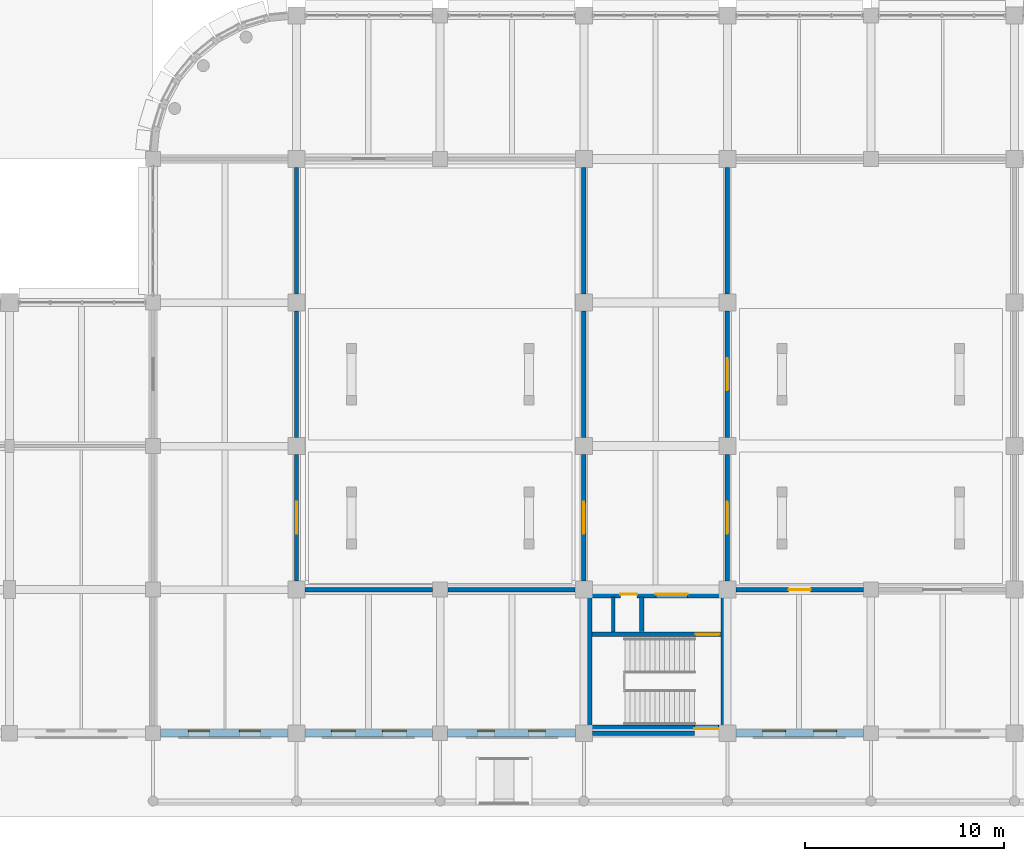
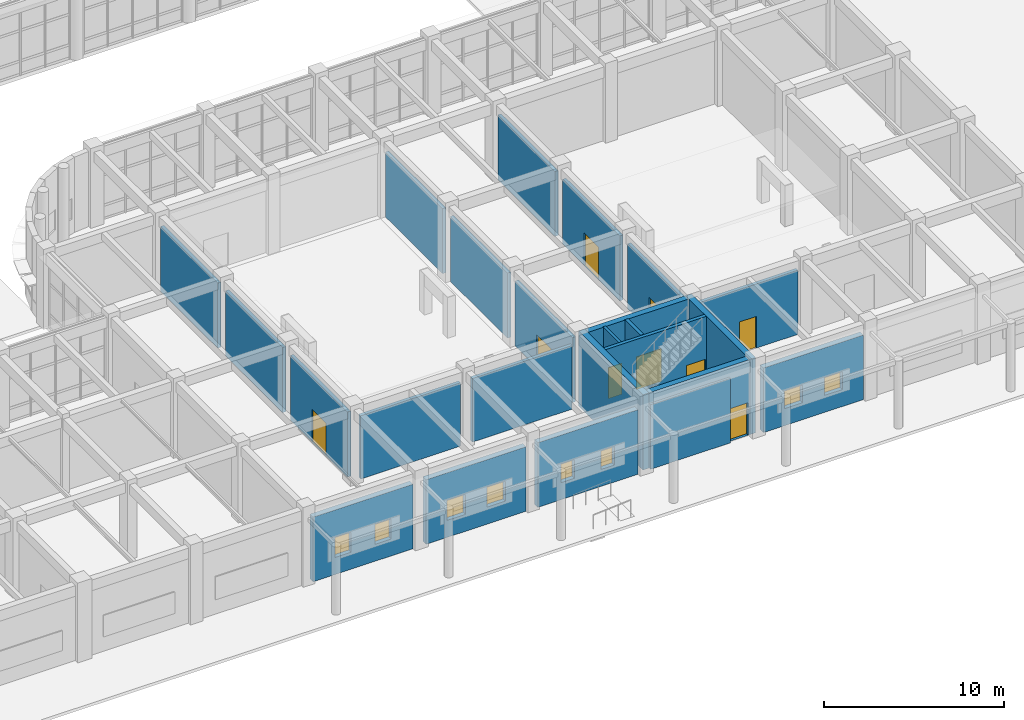
# One storey, part 137 of 160: 24 walls, 9 doors, 8 windows, 17 openings.
"""IFC4 building model written with IfcOpenShell, lengths in metres."""

from ifc_helpers import new_model, si_unit, direction, frame, frame_2d, origin, place, context, subcontext, project, spatial, rectangle, extrude, material, layer, layer_set, type_object, element, fill, save


model = new_model("IFC4")

# Units and contexts
model_context = context("Model", 3, precision=1e-05, world=origin(), true_north=direction((0.0, 1.0)))
body_context = subcontext(model_context, "Body", "Model", "MODEL_VIEW")
ifc_project = project(units=[si_unit("LENGTHUNIT", "METRE"), si_unit("AREAUNIT", "SQUARE_METRE"), si_unit("VOLUMEUNIT", "CUBIC_METRE"), si_unit("PLANEANGLEUNIT", "RADIAN"), si_unit("MASSUNIT", "GRAM", prefix="KILO")], contexts=[model_context])

# Site, building, storey
site_placement = place(None, origin())
site = spatial("IfcSite", under=ifc_project, at=site_placement, CompositionType="ELEMENT")
building_placement = place(site_placement, origin())
building = spatial("IfcBuilding", under=site, at=building_placement, Name="Thalmaran Polytechnic", CompositionType="ELEMENT")
storey_placement = place(building_placement, origin())
storey = spatial("IfcBuildingStorey", under=building, at=storey_placement, Name="L00", CompositionType="ELEMENT", Elevation=0.0)

# Wall, openings, windows
ifc_material_1 = material(Name="Precast concrete C40/50", Category="concrete")
ifc_layer_1 = layer(ifc_material_1, 0.360107421875, Name="Precast concrete C40/50")
ifc_layer_set_1 = layer_set([ifc_layer_1], Name="Precast concrete C40/50")
wall_type_1 = type_object("IfcWallType", Name="WL-EW01", PredefinedType="STANDARD", material=ifc_layer_set_1)
wall_1_placement = place(storey_placement, frame((93.22509765625, 0.0, 0.0), z_axis=(0.0, 0.0, 1.0), x_axis=(-1.0, 0.0, 0.0)))
wall_1 = element("IfcWall", 1, at=wall_1_placement, inside=storey, type_object=wall_type_1, Name="Exterior Precast Facade Wall L00-080", PredefinedType="STANDARD", context=body_context, shape_type="SweptSolid", body=[
    extrude(rectangle(XDim=6.400146484375, YDim=0.360107421875, at=frame_2d((3.2001953125, 0.0))), origin(), (0.0, 0.0, 1.0), 4.3701171875),
])
opening_1_placement = place(wall_1_placement, frame((1.344970703125, 0.0, 1.14990234375)))
opening_1 = element("IfcOpeningElement", 2, at=opening_1_placement, cuts=wall_1, Name="Opening VW12", PredefinedType="OPENING", context=body_context, shape_type="SweptSolid", body=[
    extrude(rectangle(XDim=1.14990234375, YDim=1.199951171875, at=frame_2d((0.574951171875, 0.60009765625))), frame((0.0, 0.18994140625, 0.0), z_axis=(0.0, -1.0, 0.0), x_axis=(1.0, 0.0, 0.0)), (0.0, 0.0, 1.0), 0.380126953125),
])
opening_2_placement = place(wall_1_placement, frame((3.905029296875, 0.0, 1.14990234375)))
opening_2 = element("IfcOpeningElement", 3, at=opening_2_placement, cuts=wall_1, Name="Opening VW12", PredefinedType="OPENING", context=body_context, shape_type="SweptSolid", body=[
    extrude(rectangle(XDim=1.14990234375, YDim=1.199951171875, at=frame_2d((0.574951171875, 0.60009765625))), frame((0.0, 0.18994140625, 0.0), z_axis=(0.0, -1.0, 0.0), x_axis=(1.0, 0.0, 0.0)), (0.0, 0.0, 1.0), 0.380126953125),
])
ifc_material_2 = material(Name="Thermally broken aluminium and double low-E glass", Category="aluminium")
window_type_1 = type_object("IfcWindowType", Name="WN-VZ12", PartitioningType="SINGLE_PANEL", PredefinedType="WINDOW", material=ifc_material_2)
window_1_placement = place(opening_1_placement, origin())
window_1 = element("IfcWindow", 4, at=window_1_placement, inside=storey, type_object=window_type_1, Name="Deep-Set Solar-Screened Window W-0040", OverallHeight=1.199951171875, OverallWidth=1.14990234375, PartitioningType="SINGLE_PANEL", PredefinedType="WINDOW", context=body_context, shape_type="SweptSolid", body=[
    extrude(rectangle(XDim=1.14990234375, YDim=1.199951171875, at=frame_2d((0.574951171875, 0.60009765625))), frame((0.0, -0.080078125, 0.0), z_axis=(0.0, -1.0, 0.0), x_axis=(1.0, 0.0, 0.0)), (0.0, 0.0, 1.0), 0.06005859375),
])
fill(opening_1, window_1)
window_2_placement = place(opening_2_placement, origin())
window_2 = element("IfcWindow", 5, at=window_2_placement, inside=storey, type_object=window_type_1, Name="Deep-Set Solar-Screened Window W-0041", OverallHeight=1.199951171875, OverallWidth=1.14990234375, PartitioningType="SINGLE_PANEL", PredefinedType="WINDOW", context=body_context, shape_type="SweptSolid", body=[
    extrude(rectangle(XDim=1.14990234375, YDim=1.199951171875, at=frame_2d((0.574951171875, 0.60009765625))), frame((0.0, -0.080078125, 0.0), z_axis=(0.0, -1.0, 0.0), x_axis=(1.0, 0.0, 0.0)), (0.0, 0.0, 1.0), 0.06005859375),
])
fill(opening_2, window_2)

wall_2_placement = place(storey_placement, frame((78.77490234375, 0.0, 0.0), z_axis=(0.0, 0.0, 1.0), x_axis=(-1.0, 0.0, 0.0)))
wall_2 = element("IfcWall", 6, at=wall_2_placement, inside=storey, type_object=wall_type_1, Name="Exterior Precast Facade Wall L00-082", PredefinedType="STANDARD", context=body_context, shape_type="SweptSolid", body=[
    extrude(rectangle(XDim=6.39990234375, YDim=0.360107421875, at=frame_2d((3.199951171875, 0.0))), origin(), (0.0, 0.0, 1.0), 4.3701171875),
])
opening_3_placement = place(wall_2_placement, frame((1.4951171875, 0.0, 1.14990234375)))
opening_3 = element("IfcOpeningElement", 7, at=opening_3_placement, cuts=wall_2, Name="Opening VW14", PredefinedType="OPENING", context=body_context, shape_type="SweptSolid", body=[
    extrude(rectangle(XDim=0.85009765625, YDim=1.25, at=frame_2d((0.425048828125, 0.625))), frame((0.0, 0.18994140625, 0.0), z_axis=(0.0, -1.0, 0.0), x_axis=(1.0, 0.0, 0.0)), (0.0, 0.0, 1.0), 0.380126953125),
])
opening_4_placement = place(wall_2_placement, frame((4.054931640625, 0.0, 1.14990234375)))
opening_4 = element("IfcOpeningElement", 8, at=opening_4_placement, cuts=wall_2, Name="Opening VW14", PredefinedType="OPENING", context=body_context, shape_type="SweptSolid", body=[
    extrude(rectangle(XDim=0.85009765625, YDim=1.25, at=frame_2d((0.425048828125, 0.625))), frame((0.0, 0.18994140625, 0.0), z_axis=(0.0, -1.0, 0.0), x_axis=(1.0, 0.0, 0.0)), (0.0, 0.0, 1.0), 0.380126953125),
])
window_type_2 = type_object("IfcWindowType", Name="WN-VZ14", PartitioningType="SINGLE_PANEL", PredefinedType="WINDOW", material=ifc_material_2)
window_3_placement = place(opening_3_placement, origin())
window_3 = element("IfcWindow", 9, at=window_3_placement, inside=storey, type_object=window_type_2, Name="Deep-Set Solar-Screened Window W-0042", OverallHeight=1.25, OverallWidth=0.85009765625, PartitioningType="SINGLE_PANEL", PredefinedType="WINDOW", context=body_context, shape_type="SweptSolid", body=[
    extrude(rectangle(XDim=0.85009765625, YDim=1.25, at=frame_2d((0.425048828125, 0.625))), frame((0.0, -0.080078125, 0.0), z_axis=(0.0, -1.0, 0.0), x_axis=(1.0, 0.0, 0.0)), (0.0, 0.0, 1.0), 0.06005859375),
])
fill(opening_3, window_3)
window_4_placement = place(opening_4_placement, origin())
window_4 = element("IfcWindow", 10, at=window_4_placement, inside=storey, type_object=window_type_2, Name="Deep-Set Solar-Screened Window W-0043", OverallHeight=1.25, OverallWidth=0.85009765625, PartitioningType="SINGLE_PANEL", PredefinedType="WINDOW", context=body_context, shape_type="SweptSolid", body=[
    extrude(rectangle(XDim=0.85009765625, YDim=1.25, at=frame_2d((0.425048828125, 0.625))), frame((0.0, -0.080078125, 0.0), z_axis=(0.0, -1.0, 0.0), x_axis=(1.0, 0.0, 0.0)), (0.0, 0.0, 1.0), 0.06005859375),
])
fill(opening_4, window_4)

wall_3_placement = place(storey_placement, frame((71.625, 0.0, 0.0), z_axis=(0.0, 0.0, 1.0), x_axis=(-1.0, 0.0, 0.0)))
wall_3 = element("IfcWall", 11, at=wall_3_placement, inside=storey, type_object=wall_type_1, Name="Exterior Precast Facade Wall L00-083", PredefinedType="STANDARD", context=body_context, shape_type="SweptSolid", body=[
    extrude(rectangle(XDim=6.39990234375, YDim=0.360107421875, at=frame_2d((3.199951171875, 0.0))), origin(), (0.0, 0.0, 1.0), 4.3701171875),
])
opening_5_placement = place(wall_3_placement, frame((1.320068359375, 0.0, 1.14990234375)))
opening_5 = element("IfcOpeningElement", 12, at=opening_5_placement, cuts=wall_3, Name="Opening PW11", PredefinedType="OPENING", context=body_context, shape_type="SweptSolid", body=[
    extrude(rectangle(XDim=1.199951171875, YDim=1.35009765625, at=frame_2d((0.60009765625, 0.675048828125))), frame((0.0, 0.18994140625, 0.0), z_axis=(0.0, -1.0, 0.0), x_axis=(1.0, 0.0, 0.0)), (0.0, 0.0, 1.0), 0.380126953125),
])
opening_6_placement = place(wall_3_placement, frame((3.8798828125, 0.0, 1.14990234375)))
opening_6 = element("IfcOpeningElement", 13, at=opening_6_placement, cuts=wall_3, Name="Opening PW11", PredefinedType="OPENING", context=body_context, shape_type="SweptSolid", body=[
    extrude(rectangle(XDim=1.199951171875, YDim=1.35009765625, at=frame_2d((0.60009765625, 0.675048828125))), frame((0.0, 0.18994140625, 0.0), z_axis=(0.0, -1.0, 0.0), x_axis=(1.0, 0.0, 0.0)), (0.0, 0.0, 1.0), 0.380126953125),
])
window_type_3 = type_object("IfcWindowType", Name="WN-PW01", PartitioningType="SINGLE_PANEL", PredefinedType="WINDOW", material=ifc_material_2)
window_5_placement = place(opening_5_placement, origin())
window_5 = element("IfcWindow", 14, at=window_5_placement, inside=storey, type_object=window_type_3, Name="Deep-Set Solar-Screened Window W-0044", OverallHeight=1.35009765625, OverallWidth=1.199951171875, PartitioningType="SINGLE_PANEL", PredefinedType="WINDOW", context=body_context, shape_type="SweptSolid", body=[
    extrude(rectangle(XDim=1.199951171875, YDim=1.35009765625, at=frame_2d((0.60009765625, 0.675048828125))), frame((0.0, -0.080078125, 0.0), z_axis=(0.0, -1.0, 0.0), x_axis=(1.0, 0.0, 0.0)), (0.0, 0.0, 1.0), 0.06005859375),
])
fill(opening_5, window_5)
window_6_placement = place(opening_6_placement, origin())
window_6 = element("IfcWindow", 15, at=window_6_placement, inside=storey, type_object=window_type_3, Name="Deep-Set Solar-Screened Window W-0045", OverallHeight=1.35009765625, OverallWidth=1.199951171875, PartitioningType="SINGLE_PANEL", PredefinedType="WINDOW", context=body_context, shape_type="SweptSolid", body=[
    extrude(rectangle(XDim=1.199951171875, YDim=1.35009765625, at=frame_2d((0.60009765625, 0.675048828125))), frame((0.0, -0.080078125, 0.0), z_axis=(0.0, -1.0, 0.0), x_axis=(1.0, 0.0, 0.0)), (0.0, 0.0, 1.0), 0.06005859375),
])
fill(opening_6, window_6)

wall_4_placement = place(storey_placement, frame((64.375, 0.0, 0.0), z_axis=(0.0, 0.0, 1.0), x_axis=(-1.0, 0.0, 0.0)))
wall_4 = element("IfcWall", 16, at=wall_4_placement, inside=storey, type_object=wall_type_1, Name="Exterior Precast Facade Wall L00-084", PredefinedType="STANDARD", context=body_context, shape_type="SweptSolid", body=[
    extrude(rectangle(XDim=6.39990234375, YDim=0.360107421875, at=frame_2d((3.199951171875, 0.0))), origin(), (0.0, 0.0, 1.0), 4.3701171875),
])
opening_7_placement = place(wall_4_placement, frame((1.39501953125, 0.0, 1.14990234375)))
opening_7 = element("IfcOpeningElement", 17, at=opening_7_placement, cuts=wall_4, Name="Opening PW12", PredefinedType="OPENING", context=body_context, shape_type="SweptSolid", body=[
    extrude(rectangle(XDim=1.050048828125, YDim=1.35009765625, at=frame_2d((0.52490234375, 0.675048828125))), frame((0.0, 0.18994140625, 0.0), z_axis=(0.0, -1.0, 0.0), x_axis=(1.0, 0.0, 0.0)), (0.0, 0.0, 1.0), 0.380126953125),
])
opening_8_placement = place(wall_4_placement, frame((3.955078125, 0.0, 1.14990234375)))
opening_8 = element("IfcOpeningElement", 18, at=opening_8_placement, cuts=wall_4, Name="Opening PW12", PredefinedType="OPENING", context=body_context, shape_type="SweptSolid", body=[
    extrude(rectangle(XDim=1.050048828125, YDim=1.35009765625, at=frame_2d((0.52490234375, 0.675048828125))), frame((0.0, 0.18994140625, 0.0), z_axis=(0.0, -1.0, 0.0), x_axis=(1.0, 0.0, 0.0)), (0.0, 0.0, 1.0), 0.380126953125),
])
window_type_4 = type_object("IfcWindowType", Name="WN-PW02", PartitioningType="SINGLE_PANEL", PredefinedType="WINDOW", material=ifc_material_2)
window_7_placement = place(opening_7_placement, origin())
window_7 = element("IfcWindow", 19, at=window_7_placement, inside=storey, type_object=window_type_4, Name="Deep-Set Solar-Screened Window W-0046", OverallHeight=1.35009765625, OverallWidth=1.050048828125, PartitioningType="SINGLE_PANEL", PredefinedType="WINDOW", context=body_context, shape_type="SweptSolid", body=[
    extrude(rectangle(XDim=1.050048828125, YDim=1.35009765625, at=frame_2d((0.52490234375, 0.675048828125))), frame((0.0, -0.080078125, 0.0), z_axis=(0.0, -1.0, 0.0), x_axis=(1.0, 0.0, 0.0)), (0.0, 0.0, 1.0), 0.06005859375),
])
fill(opening_7, window_7)
window_8_placement = place(opening_8_placement, origin())
window_8 = element("IfcWindow", 20, at=window_8_placement, inside=storey, type_object=window_type_4, Name="Deep-Set Solar-Screened Window W-0047", OverallHeight=1.35009765625, OverallWidth=1.050048828125, PartitioningType="SINGLE_PANEL", PredefinedType="WINDOW", context=body_context, shape_type="SweptSolid", body=[
    extrude(rectangle(XDim=1.050048828125, YDim=1.35009765625, at=frame_2d((0.52490234375, 0.675048828125))), frame((0.0, -0.080078125, 0.0), z_axis=(0.0, -1.0, 0.0), x_axis=(1.0, 0.0, 0.0)), (0.0, 0.0, 1.0), 0.06005859375),
])
fill(opening_8, window_8)

# Walls
ifc_material_3 = material(Name="Translucent architectural glass block", Category="glass")
ifc_layer_2 = layer(ifc_material_3, 0.239990234375, Name="Translucent architectural glass block")
ifc_layer_set_2 = layer_set([ifc_layer_2], Name="Translucent architectural glass block")
wall_type_2 = type_object("IfcWallType", Name="WL-GB01", PredefinedType="STANDARD", material=ifc_layer_set_2)
wall_5_placement = place(storey_placement, frame((84.75, 0.0, 0.0), z_axis=(0.0, 0.0, 1.0), x_axis=(-1.0, 0.0, 0.0)))
element("IfcWall", 21, at=wall_5_placement, inside=storey, type_object=wall_type_2, Name="Streamline Glass-Block Stair Strip L00-081", PredefinedType="STANDARD", context=body_context, shape_type="SweptSolid", body=[
    extrude(rectangle(XDim=5.125, YDim=0.239990234375, at=frame_2d((2.5625, 0.0))), origin(), (0.0, 0.0, 1.0), 4.3701171875),
])
ifc_material_4 = material(Name="Autoclaved aerated masonry", Category="masonry")
ifc_layer_3 = layer(ifc_material_4, 0.22998046875, Name="Autoclaved aerated masonry")
ifc_layer_set_3 = layer_set([ifc_layer_3], Name="Autoclaved aerated masonry")
wall_type_3 = type_object("IfcWallType", Name="WL-IW02", PredefinedType="PARTITIONING", material=ifc_layer_set_3)
wall_6_placement = place(storey_placement, frame((82.10009765625, 5.10009765625, 0.0), z_axis=(0.0, 0.0, 1.0), x_axis=(0.0, 1.0, 0.0)))
element("IfcWall", 22, at=wall_6_placement, inside=storey, type_object=wall_type_3, Name="Core C7 Riser Partition L00", PredefinedType="PARTITIONING", context=body_context, shape_type="SweptSolid", body=[
    extrude(rectangle(XDim=1.739990234375, YDim=0.22998046875, at=frame_2d((0.8701171875, 0.0))), origin(), (0.0, 0.0, 1.0), 5.090087890625),
])

# Wall, opening, door
ifc_layer_4 = layer(ifc_material_4, 0.2099609375, Name="Autoclaved aerated masonry")
ifc_layer_set_4 = layer_set([ifc_layer_4], Name="Autoclaved aerated masonry")
wall_type_4 = type_object("IfcWallType", Name="WL-IW03", PredefinedType="PARTITIONING", material=ifc_layer_set_4)
wall_7_placement = place(storey_placement, frame((64.800048828125, 7.6298828125, 0.0), z_axis=(0.0, 0.0, 1.0), x_axis=(0.0, 1.0, 0.0)))
wall_7 = element("IfcWall", 23, at=wall_7_placement, inside=storey, type_object=wall_type_4, Name="Interior Partition IW03 L00-071", PredefinedType="PARTITIONING", context=body_context, shape_type="SweptSolid", body=[
    extrude(rectangle(XDim=6.340087890625, YDim=0.2099609375, at=frame_2d((3.169921875, 0.0))), origin(), (0.0, 0.0, 1.0), 4.405029296875),
])
opening_9_placement = place(wall_7_placement, frame((2.3701171875, 0.0, 0.0)))
opening_9 = element("IfcOpeningElement", 24, at=opening_9_placement, cuts=wall_7, Name="Opening D-L00-007-3S-9-2", PredefinedType="OPENING", context=body_context, shape_type="SweptSolid", body=[
    extrude(rectangle(XDim=1.60009765625, YDim=2.199951171875, at=frame_2d((0.800048828125, 1.10009765625))), frame((0.0, 0.114990234375, 0.0), z_axis=(0.0, -1.0, 0.0), x_axis=(1.0, 0.0, 0.0)), (0.0, 0.0, 1.0), 0.22998046875),
])
ifc_material_5 = material(Name="Powder-coated fire-rated steel", Category="steel")
door_type_1 = type_object("IfcDoorType", Name="DR-FD05", OperationType="NOTDEFINED", PredefinedType="DOOR", material=ifc_material_5)
door_1_placement = place(opening_9_placement, origin())
door_1 = element("IfcDoor", 25, at=door_1_placement, inside=storey, type_object=door_type_1, Name="Lecture Theatre 3 (190 Seats) Door 2", OperationType="DOUBLE_DOOR_SINGLE_SWING", OverallHeight=2.199951171875, OverallWidth=1.60009765625, PredefinedType="DOOR", context=body_context, shape_type="SweptSolid", body=[
    extrude(rectangle(XDim=1.60009765625, YDim=2.199951171875, at=frame_2d((0.800048828125, 1.10009765625))), frame((0.0, 0.02490234375, 0.0), z_axis=(0.0, -1.0, 0.0), x_axis=(1.0, 0.0, 0.0)), (0.0, 0.0, 1.0), 0.050048828125),
])
fill(opening_9, door_1)

# Walls
wall_8_placement = place(storey_placement, frame((64.800048828125, 14.830078125, 0.0), z_axis=(0.0, 0.0, 1.0), x_axis=(0.0, 1.0, 0.0)))
element("IfcWall", 26, at=wall_8_placement, inside=storey, type_object=wall_type_4, Name="Interior Partition IW03 L00-072", PredefinedType="PARTITIONING", context=body_context, shape_type="SweptSolid", body=[
    extrude(rectangle(XDim=6.33984375, YDim=0.2099609375, at=frame_2d((3.169921875, 0.0))), origin(), (0.0, 0.0, 1.0), 4.405029296875),
])
wall_9_placement = place(storey_placement, frame((64.800048828125, 22.030029296875, 0.0), z_axis=(0.0, 0.0, 1.0), x_axis=(0.0, 1.0, 0.0)))
element("IfcWall", 27, at=wall_9_placement, inside=storey, type_object=wall_type_4, Name="Interior Partition IW03 L00-073", PredefinedType="PARTITIONING", context=body_context, shape_type="SweptSolid", body=[
    extrude(rectangle(XDim=6.340087890625, YDim=0.2099609375, at=frame_2d((3.169921875, 0.0))), origin(), (0.0, 0.0, 1.0), 4.39990234375),
])
wall_10_placement = place(storey_placement, frame((65.22998046875, 7.199951171875, 0.0), z_axis=(0.0, 0.0, 1.0), x_axis=(1.0, 0.0, 0.0)))
element("IfcWall", 28, at=wall_10_placement, inside=storey, type_object=wall_type_4, Name="Interior Partition IW03 L00-077", PredefinedType="PARTITIONING", context=body_context, shape_type="SweptSolid", body=[
    extrude(rectangle(XDim=6.39013671875, YDim=0.2099609375, at=frame_2d((3.195068359375, 0.0))), origin(), (0.0, 0.0, 1.0), 4.2900390625),
])
wall_11_placement = place(storey_placement, frame((72.3798828125, 7.199951171875, 0.0), z_axis=(0.0, 0.0, 1.0), x_axis=(1.0, 0.0, 0.0)))
element("IfcWall", 29, at=wall_11_placement, inside=storey, type_object=wall_type_4, Name="Interior Partition IW03 L00-081", PredefinedType="PARTITIONING", context=body_context, shape_type="SweptSolid", body=[
    extrude(rectangle(XDim=6.39013671875, YDim=0.2099609375, at=frame_2d((3.195068359375, 0.0))), origin(), (0.0, 0.0, 1.0), 4.31005859375),
])

# Wall, opening, door
wall_12_placement = place(storey_placement, frame((79.199951171875, 7.6298828125, 0.0), z_axis=(0.0, 0.0, 1.0), x_axis=(0.0, 1.0, 0.0)))
wall_12 = element("IfcWall", 30, at=wall_12_placement, inside=storey, type_object=wall_type_4, Name="Interior Partition IW03 L00-082", PredefinedType="PARTITIONING", context=body_context, shape_type="SweptSolid", body=[
    extrude(rectangle(XDim=6.340087890625, YDim=0.2099609375, at=frame_2d((3.169921875, 0.0))), origin(), (0.0, 0.0, 1.0), 4.405029296875),
])
opening_10_placement = place(wall_12_placement, frame((2.3701171875, 0.0, 0.0)))
opening_10 = element("IfcOpeningElement", 31, at=opening_10_placement, cuts=wall_12, Name="Opening D-L00-003--LT1-2", PredefinedType="OPENING", context=body_context, shape_type="SweptSolid", body=[
    extrude(rectangle(XDim=1.60009765625, YDim=2.199951171875, at=frame_2d((0.800048828125, 1.10009765625))), frame((0.0, 0.114990234375, 0.0), z_axis=(0.0, -1.0, 0.0), x_axis=(1.0, 0.0, 0.0)), (0.0, 0.0, 1.0), 0.22998046875),
])
door_2_placement = place(opening_10_placement, origin())
door_2 = element("IfcDoor", 32, at=door_2_placement, inside=storey, type_object=door_type_1, Name="Lecture Theatre 1 (75 Seats) Door 2", OperationType="DOUBLE_DOOR_SINGLE_SWING", OverallHeight=2.199951171875, OverallWidth=1.60009765625, PredefinedType="DOOR", context=body_context, shape_type="SweptSolid", body=[
    extrude(rectangle(XDim=1.60009765625, YDim=2.199951171875, at=frame_2d((0.800048828125, 1.10009765625))), frame((0.0, 0.02490234375, 0.0), z_axis=(0.0, -1.0, 0.0), x_axis=(1.0, 0.0, 0.0)), (0.0, 0.0, 1.0), 0.050048828125),
])
fill(opening_10, door_2)

# Walls
wall_13_placement = place(storey_placement, frame((79.199951171875, 14.830078125, 0.0), z_axis=(0.0, 0.0, 1.0), x_axis=(0.0, 1.0, 0.0)))
element("IfcWall", 33, at=wall_13_placement, inside=storey, type_object=wall_type_4, Name="Interior Partition IW03 L00-083", PredefinedType="PARTITIONING", context=body_context, shape_type="SweptSolid", body=[
    extrude(rectangle(XDim=6.33984375, YDim=0.2099609375, at=frame_2d((3.169921875, 0.0))), origin(), (0.0, 0.0, 1.0), 4.405029296875),
])
wall_14_placement = place(storey_placement, frame((79.199951171875, 22.030029296875, 0.0), z_axis=(0.0, 0.0, 1.0), x_axis=(0.0, 1.0, 0.0)))
element("IfcWall", 34, at=wall_14_placement, inside=storey, type_object=wall_type_4, Name="Interior Partition IW03 L00-084", PredefinedType="PARTITIONING", context=body_context, shape_type="SweptSolid", body=[
    extrude(rectangle(XDim=6.340087890625, YDim=0.2099609375, at=frame_2d((3.169921875, 0.0))), origin(), (0.0, 0.0, 1.0), 4.39990234375),
])

# Wall, opening, door
wall_15_placement = place(storey_placement, frame((86.39990234375, 7.6298828125, 0.0), z_axis=(0.0, 0.0, 1.0), x_axis=(0.0, 1.0, 0.0)))
wall_15 = element("IfcWall", 35, at=wall_15_placement, inside=storey, type_object=wall_type_4, Name="Interior Partition IW03 L00-090", PredefinedType="PARTITIONING", context=body_context, shape_type="SweptSolid", body=[
    extrude(rectangle(XDim=6.340087890625, YDim=0.2099609375, at=frame_2d((3.169921875, 0.0))), origin(), (0.0, 0.0, 1.0), 4.405029296875),
])
opening_11_placement = place(wall_15_placement, frame((2.3701171875, 0.0, 0.0)))
opening_11 = element("IfcOpeningElement", 36, at=opening_11_placement, cuts=wall_15, Name="Opening D-L00-004--LT2-1", PredefinedType="OPENING", context=body_context, shape_type="SweptSolid", body=[
    extrude(rectangle(XDim=1.60009765625, YDim=2.199951171875, at=frame_2d((0.800048828125, 1.10009765625))), frame((0.0, 0.114990234375, 0.0), z_axis=(0.0, -1.0, 0.0), x_axis=(1.0, 0.0, 0.0)), (0.0, 0.0, 1.0), 0.22998046875),
])
door_3_placement = place(opening_11_placement, origin())
door_3 = element("IfcDoor", 37, at=door_3_placement, inside=storey, type_object=door_type_1, Name="Lecture Theatre 2 (75 Seats) Door 1", OperationType="DOUBLE_DOOR_SINGLE_SWING", OverallHeight=2.199951171875, OverallWidth=1.60009765625, PredefinedType="DOOR", context=body_context, shape_type="SweptSolid", body=[
    extrude(rectangle(XDim=1.60009765625, YDim=2.199951171875, at=frame_2d((0.800048828125, 1.10009765625))), frame((0.0, 0.02490234375, 0.0), z_axis=(0.0, -1.0, 0.0), x_axis=(1.0, 0.0, 0.0)), (0.0, 0.0, 1.0), 0.050048828125),
])
fill(opening_11, door_3)

wall_16_placement = place(storey_placement, frame((86.39990234375, 14.830078125, 0.0), z_axis=(0.0, 0.0, 1.0), x_axis=(0.0, 1.0, 0.0)))
wall_16 = element("IfcWall", 38, at=wall_16_placement, inside=storey, type_object=wall_type_4, Name="Interior Partition IW03 L00-091", PredefinedType="PARTITIONING", context=body_context, shape_type="SweptSolid", body=[
    extrude(rectangle(XDim=6.33984375, YDim=0.2099609375, at=frame_2d((3.169921875, 0.0))), origin(), (0.0, 0.0, 1.0), 4.405029296875),
])
opening_12_placement = place(wall_16_placement, frame((2.3701171875, 0.0, 0.0)))
opening_12 = element("IfcOpeningElement", 39, at=opening_12_placement, cuts=wall_16, Name="Opening D-L00-005--LT2-2", PredefinedType="OPENING", context=body_context, shape_type="SweptSolid", body=[
    extrude(rectangle(XDim=1.60009765625, YDim=2.199951171875, at=frame_2d((0.800048828125, 1.10009765625))), frame((0.0, 0.114990234375, 0.0), z_axis=(0.0, -1.0, 0.0), x_axis=(1.0, 0.0, 0.0)), (0.0, 0.0, 1.0), 0.22998046875),
])
door_4_placement = place(opening_12_placement, origin())
door_4 = element("IfcDoor", 40, at=door_4_placement, inside=storey, type_object=door_type_1, Name="Lecture Theatre 2 (75 Seats) Door 2", OperationType="DOUBLE_DOOR_SINGLE_SWING", OverallHeight=2.199951171875, OverallWidth=1.60009765625, PredefinedType="DOOR", context=body_context, shape_type="SweptSolid", body=[
    extrude(rectangle(XDim=1.60009765625, YDim=2.199951171875, at=frame_2d((0.800048828125, 1.10009765625))), frame((0.0, 0.02490234375, 0.0), z_axis=(0.0, -1.0, 0.0), x_axis=(1.0, 0.0, 0.0)), (0.0, 0.0, 1.0), 0.050048828125),
])
fill(opening_12, door_4)

# Wall
wall_17_placement = place(storey_placement, frame((86.39990234375, 22.030029296875, 0.0), z_axis=(0.0, 0.0, 1.0), x_axis=(0.0, 1.0, 0.0)))
element("IfcWall", 41, at=wall_17_placement, inside=storey, type_object=wall_type_4, Name="Interior Partition IW03 L00-092", PredefinedType="PARTITIONING", context=body_context, shape_type="SweptSolid", body=[
    extrude(rectangle(XDim=6.340087890625, YDim=0.2099609375, at=frame_2d((3.169921875, 0.0))), origin(), (0.0, 0.0, 1.0), 4.39990234375),
])

# Wall, opening, door
wall_18_placement = place(storey_placement, frame((86.830078125, 7.199951171875, 0.0), z_axis=(0.0, 0.0, 1.0), x_axis=(1.0, 0.0, 0.0)))
wall_18 = element("IfcWall", 42, at=wall_18_placement, inside=storey, type_object=wall_type_4, Name="Interior Partition IW03 L00-096", PredefinedType="PARTITIONING", context=body_context, shape_type="SweptSolid", body=[
    extrude(rectangle(XDim=6.389892578125, YDim=0.2099609375, at=frame_2d((3.19482421875, 0.0))), origin(), (0.0, 0.0, 1.0), 4.35009765625),
])
opening_13_placement = place(wall_18_placement, frame((2.64501953125, 0.0, 0.0)))
opening_13 = element("IfcOpeningElement", 43, at=opening_13_placement, cuts=wall_18, Name="Opening D-L00-008-S-12-1", PredefinedType="OPENING", context=body_context, shape_type="SweptSolid", body=[
    extrude(rectangle(XDim=1.10009765625, YDim=2.14990234375, at=frame_2d((0.550048828125, 1.074951171875))), frame((0.0, 0.114990234375, 0.0), z_axis=(0.0, -1.0, 0.0), x_axis=(1.0, 0.0, 0.0)), (0.0, 0.0, 1.0), 0.22998046875),
])
door_type_2 = type_object("IfcDoorType", Name="DR-FD07", OperationType="NOTDEFINED", PredefinedType="DOOR", material=ifc_material_5)
door_5_placement = place(opening_13_placement, origin())
door_5 = element("IfcDoor", 44, at=door_5_placement, inside=storey, type_object=door_type_2, Name="Seminar Room L00-A Door 1", OperationType="SINGLE_SWING_LEFT", OverallHeight=2.14990234375, OverallWidth=1.10009765625, PredefinedType="DOOR", context=body_context, shape_type="SweptSolid", body=[
    extrude(rectangle(XDim=1.10009765625, YDim=2.14990234375, at=frame_2d((0.550048828125, 1.074951171875))), frame((0.0, 0.02490234375, 0.0), z_axis=(0.0, -1.0, 0.0), x_axis=(1.0, 0.0, 0.0)), (0.0, 0.0, 1.0), 0.050048828125),
])
fill(opening_13, door_5)

# Wall
ifc_layer_5 = layer(ifc_material_4, 0.179931640625, Name="Autoclaved aerated masonry")
ifc_layer_set_5 = layer_set([ifc_layer_5], Name="Autoclaved aerated masonry")
wall_type_5 = type_object("IfcWallType", Name="WL-IW04", PredefinedType="PARTITIONING", material=ifc_layer_set_5)
wall_19_placement = place(storey_placement, frame((80.679931640625, 5.080078125, 0.0), z_axis=(0.0, 0.0, 1.0), x_axis=(0.0, 1.0, 0.0)))
element("IfcWall", 45, at=wall_19_placement, inside=storey, type_object=wall_type_5, Name="Core C7 Riser Shaft Enclosure Wall L00", PredefinedType="PARTITIONING", context=body_context, shape_type="SweptSolid", body=[
    extrude(rectangle(XDim=1.760009765625, YDim=0.179931640625, at=frame_2d((0.8798828125, 0.0))), origin(), (0.0, 0.0, 1.0), 5.090087890625),
])

# Wall, opening, door
ifc_material_6 = material(Name="Concrete C50/60", Category="concrete")
ifc_layer_6 = layer(ifc_material_6, 0.3798828125, Name="Concrete C50/60")
ifc_layer_set_6 = layer_set([ifc_layer_6], Name="Concrete C50/60")
wall_type_6 = type_object("IfcWallType", Name="WL-SW02", PredefinedType="SHEAR", material=ifc_layer_set_6)
wall_20_placement = place(storey_placement, frame((79.610107421875, 0.219970703125, 0.0), z_axis=(0.0, 0.0, 1.0), x_axis=(1.0, 0.0, 0.0)))
wall_20 = element("IfcWall", 46, at=wall_20_placement, inside=storey, type_object=wall_type_6, Name="Core C7 South Shear Wall L00", PredefinedType="SHEAR", context=body_context, shape_type="SweptSolid", body=[
    extrude(rectangle(XDim=6.4599609375, YDim=0.3798828125, at=frame_2d((3.22998046875, 0.0))), origin(), (0.0, 0.0, 1.0), 5.090087890625),
])
opening_14_placement = place(wall_20_placement, frame((5.139892578125, 0.0, 0.0)))
opening_14 = element("IfcOpeningElement", 47, at=opening_14_placement, cuts=wall_20, Name="Opening ED-28", PredefinedType="OPENING", context=body_context, shape_type="SweptSolid", body=[
    extrude(rectangle(XDim=1.199951171875, YDim=2.199951171875, at=frame_2d((0.60009765625, 1.10009765625))), frame((0.0, 0.199951171875, 0.0), z_axis=(0.0, -1.0, 0.0), x_axis=(1.0, 0.0, 0.0)), (0.0, 0.0, 1.0), 0.39990234375),
])
door_type_3 = type_object("IfcDoorType", Name="DR-FD04", OperationType="NOTDEFINED", PredefinedType="DOOR", material=ifc_material_5)
door_6_placement = place(opening_14_placement, frame((1.199951171875, 0.0, 0.0), z_axis=(0.0, 0.0, 1.0), x_axis=(-1.0, 0.0, 0.0)))
door_6 = element("IfcDoor", 48, at=door_6_placement, inside=storey, type_object=door_type_3, Name="Pedestrian Final Exit Door ED-28", OperationType="SINGLE_SWING_LEFT", OverallHeight=2.199951171875, OverallWidth=1.199951171875, PredefinedType="DOOR", context=body_context, shape_type="SweptSolid", body=[
    extrude(rectangle(XDim=1.199951171875, YDim=2.199951171875, at=frame_2d((0.60009765625, 1.10009765625))), frame((0.0, 0.02490234375, 0.0), z_axis=(0.0, -1.0, 0.0), x_axis=(1.0, 0.0, 0.0)), (0.0, 0.0, 1.0), 0.050048828125),
])
fill(opening_14, door_6)

# Wall
wall_21_placement = place(storey_placement, frame((79.419921875, 7.169921875, 0.0), z_axis=(0.0, 0.0, 1.0), x_axis=(0.0, -1.0, 0.0)))
element("IfcWall", 49, at=wall_21_placement, inside=storey, type_object=wall_type_6, Name="Core C7 West Shear Wall L00", PredefinedType="SHEAR", context=body_context, shape_type="SweptSolid", body=[
    extrude(rectangle(XDim=7.139892578125, YDim=0.3798828125, at=frame_2d((3.56982421875, 0.0))), origin(), (0.0, 0.0, 1.0), 5.090087890625),
])

# Wall, openings, doors
wall_22_placement = place(storey_placement, frame((79.610107421875, 6.97998046875, 0.0), z_axis=(0.0, 0.0, 1.0), x_axis=(1.0, 0.0, 0.0)))
wall_22 = element("IfcWall", 50, at=wall_22_placement, inside=storey, type_object=wall_type_6, Name="Core C7 North Shear Wall L00", PredefinedType="SHEAR", context=body_context, shape_type="SweptSolid", body=[
    extrude(rectangle(XDim=6.4599609375, YDim=0.3798828125, at=frame_2d((3.22998046875, 0.0))), origin(), (0.0, 0.0, 1.0), 5.090087890625),
])
opening_15_placement = place(wall_22_placement, frame((1.419921875, 0.0, 0.0)))
opening_15 = element("IfcOpeningElement", 51, at=opening_15_placement, cuts=wall_22, Name="Opening DR-C7-L00-R", PredefinedType="OPENING", context=body_context, shape_type="SweptSolid", body=[
    extrude(rectangle(XDim=0.85009765625, YDim=2.10009765625, at=frame_2d((0.425048828125, 1.050048828125))), frame((0.0, 0.199951171875, 0.0), z_axis=(0.0, -1.0, 0.0), x_axis=(1.0, 0.0, 0.0)), (0.0, 0.0, 1.0), 0.39990234375),
])
opening_16_placement = place(wall_22_placement, frame((3.199951171875, 0.0, 0.0)))
opening_16 = element("IfcOpeningElement", 52, at=opening_16_placement, cuts=wall_22, Name="Opening LD-C7-L00", PredefinedType="OPENING", context=body_context, shape_type="SweptSolid", body=[
    extrude(rectangle(XDim=1.60009765625, YDim=2.199951171875, at=frame_2d((0.800048828125, 1.10009765625))), frame((0.0, 0.199951171875, 0.0), z_axis=(0.0, -1.0, 0.0), x_axis=(1.0, 0.0, 0.0)), (0.0, 0.0, 1.0), 0.39990234375),
])
door_7_placement = place(opening_16_placement, origin())
door_7 = element("IfcDoor", 53, at=door_7_placement, inside=storey, type_object=door_type_1, Name="Stair Lobby Fire Door C7 L00", OperationType="DOUBLE_DOOR_SINGLE_SWING", OverallHeight=2.199951171875, OverallWidth=1.60009765625, PredefinedType="DOOR", context=body_context, shape_type="SweptSolid", body=[
    extrude(rectangle(XDim=1.60009765625, YDim=2.199951171875, at=frame_2d((0.800048828125, 1.10009765625))), frame((0.0, 0.02490234375, 0.0), z_axis=(0.0, -1.0, 0.0), x_axis=(1.0, 0.0, 0.0)), (0.0, 0.0, 1.0), 0.050048828125),
])
fill(opening_16, door_7)
door_type_4 = type_object("IfcDoorType", Name="DR-FD09", OperationType="NOTDEFINED", PredefinedType="DOOR", material=ifc_material_5)
door_8_placement = place(opening_15_placement, origin())
door_8 = element("IfcDoor", 54, at=door_8_placement, inside=storey, type_object=door_type_4, Name="Riser Access Fire Door C7 L00", OperationType="SINGLE_SWING_LEFT", OverallHeight=2.10009765625, OverallWidth=0.85009765625, PredefinedType="DOOR", context=body_context, shape_type="SweptSolid", body=[
    extrude(rectangle(XDim=0.85009765625, YDim=2.10009765625, at=frame_2d((0.425048828125, 1.050048828125))), frame((0.0, 0.02490234375, 0.0), z_axis=(0.0, -1.0, 0.0), x_axis=(1.0, 0.0, 0.0)), (0.0, 0.0, 1.0), 0.050048828125),
])
fill(opening_15, door_8)

# Wall, opening, door
wall_23_placement = place(storey_placement, frame((79.610107421875, 4.9599609375, 0.0), z_axis=(0.0, 0.0, 1.0), x_axis=(1.0, 0.0, 0.0)))
wall_23 = element("IfcWall", 55, at=wall_23_placement, inside=storey, type_object=wall_type_6, Name="Core C7 Stair Partition L00", PredefinedType="SHEAR", context=body_context, shape_type="SweptSolid", body=[
    extrude(rectangle(XDim=6.4599609375, YDim=0.219970703125, at=frame_2d((3.22998046875, 0.0))), origin(), (0.0, 0.0, 1.0), 5.090087890625),
])
opening_17_placement = place(wall_23_placement, frame((5.199951171875, 0.0, 0.0)))
opening_17 = element("IfcOpeningElement", 56, at=opening_17_placement, cuts=wall_23, Name="Opening SD-ST7-L00", PredefinedType="OPENING", context=body_context, shape_type="SweptSolid", body=[
    extrude(rectangle(XDim=1.199951171875, YDim=2.199951171875, at=frame_2d((0.60009765625, 1.10009765625))), frame((0.0, 0.119873046875, 0.0), z_axis=(0.0, -1.0, 0.0), x_axis=(1.0, 0.0, 0.0)), (0.0, 0.0, 1.0), 0.239990234375),
])
door_9_placement = place(opening_17_placement, frame((1.199951171875, 0.0, 0.0), z_axis=(0.0, 0.0, 1.0), x_axis=(-1.0, 0.0, 0.0)))
door_9 = element("IfcDoor", 57, at=door_9_placement, inside=storey, type_object=door_type_3, Name="Exit Stair Fire Door ST7 L00", OperationType="DOUBLE_DOOR_SINGLE_SWING", OverallHeight=2.199951171875, OverallWidth=1.199951171875, PredefinedType="DOOR", context=body_context, shape_type="SweptSolid", body=[
    extrude(rectangle(XDim=1.199951171875, YDim=2.199951171875, at=frame_2d((0.60009765625, 1.10009765625))), frame((0.0, 0.02490234375, 0.0), z_axis=(0.0, -1.0, 0.0), x_axis=(1.0, 0.0, 0.0)), (0.0, 0.0, 1.0), 0.050048828125),
])
fill(opening_17, door_9)

# Wall
wall_24_placement = place(storey_placement, frame((86.260009765625, 0.030029296875, 0.0), z_axis=(0.0, 0.0, 1.0), x_axis=(0.0, 1.0, 0.0)))
element("IfcWall", 58, at=wall_24_placement, inside=storey, type_object=wall_type_6, Name="Core C7 East Shear Wall L00", PredefinedType="SHEAR", context=body_context, shape_type="SweptSolid", body=[
    extrude(rectangle(XDim=7.139892578125, YDim=0.3798828125, at=frame_2d((3.56982421875, 0.0))), origin(), (0.0, 0.0, 1.0), 5.090087890625),
])

save(model, "model.ifc")
